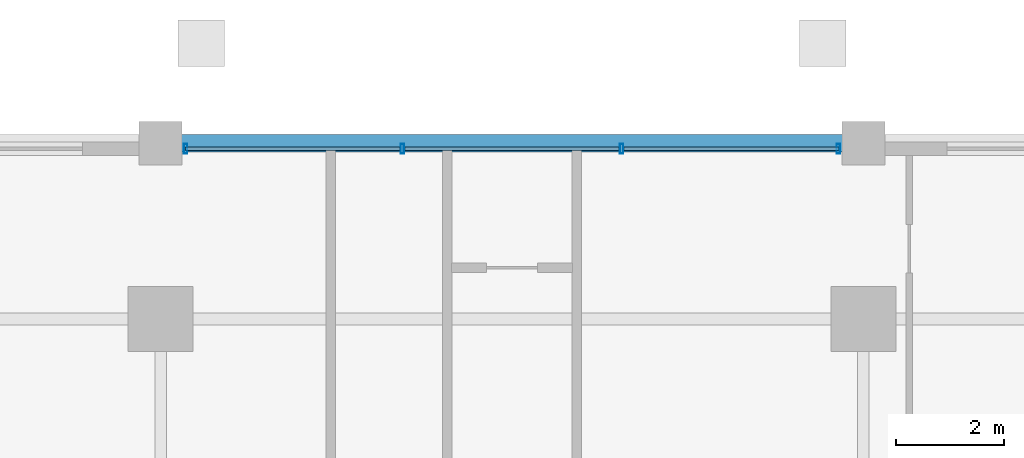
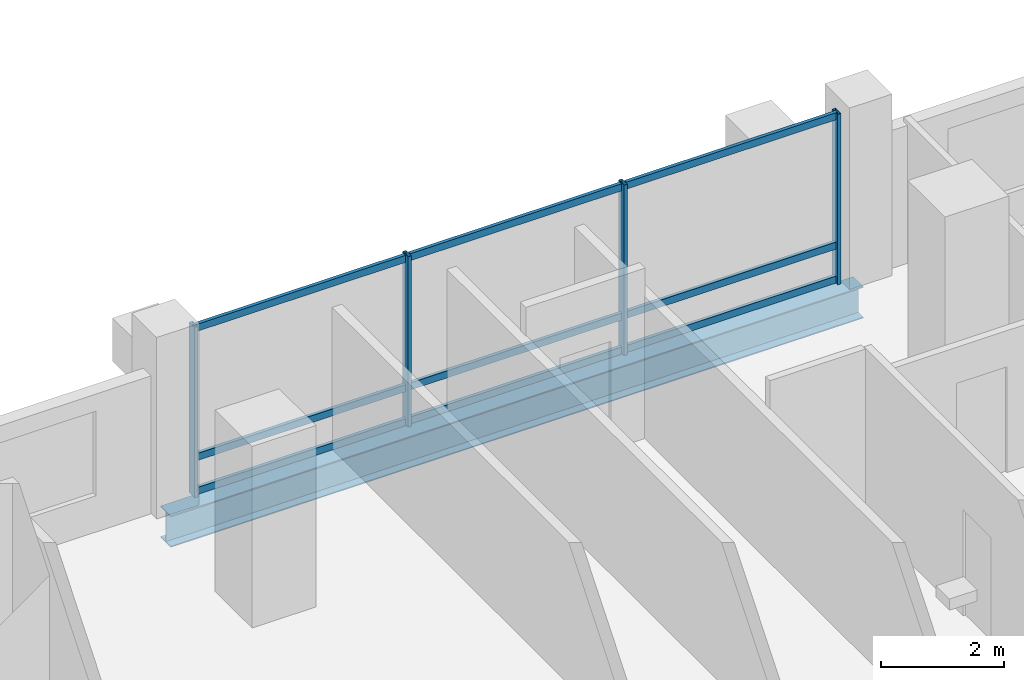
# One storey, part 10 of 19: 13 members, 1 beam, 1 element without a shape of its own.
"""IFC4 building model written with IfcOpenShell, lengths in metres."""

from ifc_helpers import new_model, si_unit, direction, frame, origin, origin_2d, place, context, subcontext, project, spatial, hollow_rectangle, i_section, extrude, material, layer, layer_set, material_profile, profile_set, type_object, element, aggregate, save


model = new_model("IFC4")

# Units and contexts
model_context = context("Model", 3, precision=1e-05, world=origin(), true_north=direction((0.0, 1.0)))
body_context = subcontext(model_context, "Body", "Model", "MODEL_VIEW")
ifc_project = project(units=[si_unit("LENGTHUNIT", "METRE"), si_unit("AREAUNIT", "SQUARE_METRE"), si_unit("VOLUMEUNIT", "CUBIC_METRE"), si_unit("PLANEANGLEUNIT", "RADIAN"), si_unit("MASSUNIT", "GRAM", prefix="KILO")], contexts=[model_context])

# Site, building, storey
site_placement = place(None, origin())
site = spatial("IfcSite", under=ifc_project, at=site_placement, CompositionType="ELEMENT")
building_placement = place(site_placement, origin())
building = spatial("IfcBuilding", under=site, at=building_placement, Name="Barlavira Tower and Art Museum", CompositionType="ELEMENT")
storey_placement = place(building_placement, frame((0.0, 0.0, 158.39990234375)))
storey = spatial("IfcBuildingStorey", under=building, at=storey_placement, Name="L40", CompositionType="ELEMENT", Elevation=158.39990234375)

# Curtain wall, members
ifc_material_1 = material(Name="Low-iron coastal laminated glass", Category="glass")
ifc_layer = layer(ifc_material_1, 0.18994140625, Name="Low-iron coastal laminated glass")
ifc_layer_set = layer_set([ifc_layer], Name="Low-iron coastal laminated glass")
curtain_wall_type = type_object("IfcCurtainWallType", Name="Pale-Metal Unitised Curtain Wall Zone 2", PredefinedType="NOTDEFINED", material=ifc_layer_set)
curtain_wall_placement = place(storey_placement, origin())
curtain_wall = element("IfcCurtainWall", 1, at=curtain_wall_placement, inside=storey, type_object=curtain_wall_type, Name="L40 Curtain Wall CW2-L40-N-B3", PredefinedType="NOTDEFINED")
ifc_material_2 = material(Name="Pale anodised aluminium", Category="aluminium")
ifc_material_profile_1 = material_profile(ifc_material_2, hollow_rectangle(XDim=0.06494140625, YDim=0.179931640625, WallThickness=0.00390625, at=origin_2d()), Name="ALU-MULL 65x180x4")
ifc_profile_set_1 = profile_set([ifc_material_profile_1], Name="Pale anodised aluminium")
member_type_1 = type_object("IfcMemberType", Name="Curtain Wall Pale-Metal Mullion 65x180", PredefinedType="MULLION", material=ifc_profile_set_1)
member_1_placement = place(storey_placement, frame((6.034912109375, 23.14990234375, 0.0), z_axis=(0.0, 0.0, 1.0), x_axis=(-1.0, 0.0, 0.0)))
member_1 = element("IfcMember", 2, at=member_1_placement, type_object=member_type_1, Name="CW2-L40-N-B3 Mullion 0", PredefinedType="MULLION", context=body_context, shape_type="SweptSolid", body=[
    extrude(hollow_rectangle(XDim=0.06494140625, YDim=0.179931640625, WallThickness=0.00390625, at=origin_2d()), origin(), (0.0, 0.0, 1.0), 3.380126953125),
])
member_2_placement = place(storey_placement, frame((2.026611328125, 23.14990234375, 0.0), z_axis=(0.0, 0.0, 1.0), x_axis=(-1.0, 0.0, 0.0)))
member_2 = element("IfcMember", 3, at=member_2_placement, type_object=member_type_1, Name="CW2-L40-N-B3 Mullion 1", PredefinedType="MULLION", context=body_context, shape_type="SweptSolid", body=[
    extrude(hollow_rectangle(XDim=0.06494140625, YDim=0.179931640625, WallThickness=0.00390625, at=origin_2d()), origin(), (0.0, 0.0, 1.0), 3.380126953125),
])
member_3_placement = place(storey_placement, frame((-2.026611328125, 23.14990234375, 0.0), z_axis=(0.0, 0.0, 1.0), x_axis=(-1.0, 0.0, 0.0)))
member_3 = element("IfcMember", 4, at=member_3_placement, type_object=member_type_1, Name="CW2-L40-N-B3 Mullion 2", PredefinedType="MULLION", context=body_context, shape_type="SweptSolid", body=[
    extrude(hollow_rectangle(XDim=0.06494140625, YDim=0.179931640625, WallThickness=0.00390625, at=origin_2d()), origin(), (0.0, 0.0, 1.0), 3.380126953125),
])
member_4_placement = place(storey_placement, frame((-6.034912109375, 23.14990234375, 0.0), z_axis=(0.0, 0.0, 1.0), x_axis=(-1.0, 0.0, 0.0)))
member_4 = element("IfcMember", 5, at=member_4_placement, type_object=member_type_1, Name="CW2-L40-N-B3 Mullion 3", PredefinedType="MULLION", context=body_context, shape_type="SweptSolid", body=[
    extrude(hollow_rectangle(XDim=0.06494140625, YDim=0.179931640625, WallThickness=0.00390625, at=origin_2d()), origin(), (0.0, 0.0, 1.0), 3.380126953125),
])
ifc_material_profile_2 = material_profile(ifc_material_2, hollow_rectangle(XDim=0.06494140625, YDim=0.139892578125, WallThickness=0.00390625, at=origin_2d()), Name="ALU-TRAN 65x140x4")
ifc_profile_set_2 = profile_set([ifc_material_profile_2], Name="Pale anodised aluminium")
member_type_2 = type_object("IfcMemberType", Name="Curtain Wall Pale-Metal Transom 65x140", PredefinedType="USERDEFINED", material=ifc_profile_set_2)
member_5_placement = place(storey_placement, frame((6.034912109375, 23.14990234375, 0.070068359375), z_axis=(-1.0, 0.0, 0.0), x_axis=(0.0, -1.0, 0.0)))
member_5 = element("IfcMember", 6, at=member_5_placement, type_object=member_type_2, Name="CW2-L40-N-B3 Transom 0.1", ObjectType="TRANSOM", PredefinedType="USERDEFINED", context=body_context, shape_type="SweptSolid", body=[
    extrude(hollow_rectangle(XDim=0.06494140625, YDim=0.139892578125, WallThickness=0.00390625, at=origin_2d()), origin(), (0.0, 0.0, 1.0), 3.963134765625),
])
member_6_placement = place(storey_placement, frame((6.034912109375, 23.14990234375, 0.744140625), z_axis=(-1.0, 0.0, 0.0), x_axis=(0.0, -1.0, 0.0)))
member_6 = element("IfcMember", 7, at=member_6_placement, type_object=member_type_2, Name="CW2-L40-N-B3 Transom 0.2", ObjectType="TRANSOM", PredefinedType="USERDEFINED", context=body_context, shape_type="SweptSolid", body=[
    extrude(hollow_rectangle(XDim=0.06494140625, YDim=0.139892578125, WallThickness=0.00390625, at=origin_2d()), origin(), (0.0, 0.0, 1.0), 3.963134765625),
])
member_7_placement = place(storey_placement, frame((6.034912109375, 23.14990234375, 3.31005859375), z_axis=(-1.0, 0.0, 0.0), x_axis=(0.0, -1.0, 0.0)))
member_7 = element("IfcMember", 8, at=member_7_placement, type_object=member_type_2, Name="CW2-L40-N-B3 Transom 0.3", ObjectType="TRANSOM", PredefinedType="USERDEFINED", context=body_context, shape_type="SweptSolid", body=[
    extrude(hollow_rectangle(XDim=0.06494140625, YDim=0.139892578125, WallThickness=0.00390625, at=origin_2d()), origin(), (0.0, 0.0, 1.0), 3.963134765625),
])
member_8_placement = place(storey_placement, frame((1.981689453125, 23.14990234375, 0.070068359375), z_axis=(-1.0, 0.0, 0.0), x_axis=(0.0, -1.0, 0.0)))
member_8 = element("IfcMember", 9, at=member_8_placement, type_object=member_type_2, Name="CW2-L40-N-B3 Transom 1.1", ObjectType="TRANSOM", PredefinedType="USERDEFINED", context=body_context, shape_type="SweptSolid", body=[
    extrude(hollow_rectangle(XDim=0.06494140625, YDim=0.139892578125, WallThickness=0.00390625, at=origin_2d()), origin(), (0.0, 0.0, 1.0), 3.96337890625),
])
member_9_placement = place(storey_placement, frame((1.981689453125, 23.14990234375, 0.744140625), z_axis=(-1.0, 0.0, 0.0), x_axis=(0.0, -1.0, 0.0)))
member_9 = element("IfcMember", 10, at=member_9_placement, type_object=member_type_2, Name="CW2-L40-N-B3 Transom 1.2", ObjectType="TRANSOM", PredefinedType="USERDEFINED", context=body_context, shape_type="SweptSolid", body=[
    extrude(hollow_rectangle(XDim=0.06494140625, YDim=0.139892578125, WallThickness=0.00390625, at=origin_2d()), origin(), (0.0, 0.0, 1.0), 3.96337890625),
])
member_10_placement = place(storey_placement, frame((1.981689453125, 23.14990234375, 3.31005859375), z_axis=(-1.0, 0.0, 0.0), x_axis=(0.0, -1.0, 0.0)))
member_10 = element("IfcMember", 11, at=member_10_placement, type_object=member_type_2, Name="CW2-L40-N-B3 Transom 1.3", ObjectType="TRANSOM", PredefinedType="USERDEFINED", context=body_context, shape_type="SweptSolid", body=[
    extrude(hollow_rectangle(XDim=0.06494140625, YDim=0.139892578125, WallThickness=0.00390625, at=origin_2d()), origin(), (0.0, 0.0, 1.0), 3.96337890625),
])
member_11_placement = place(storey_placement, frame((-2.07177734375, 23.14990234375, 0.070068359375), z_axis=(-1.0, 0.0, 0.0), x_axis=(0.0, -1.0, 0.0)))
member_11 = element("IfcMember", 12, at=member_11_placement, type_object=member_type_2, Name="CW2-L40-N-B3 Transom 2.1", ObjectType="TRANSOM", PredefinedType="USERDEFINED", context=body_context, shape_type="SweptSolid", body=[
    extrude(hollow_rectangle(XDim=0.06494140625, YDim=0.139892578125, WallThickness=0.00390625, at=origin_2d()), origin(), (0.0, 0.0, 1.0), 3.963134765625),
])
member_12_placement = place(storey_placement, frame((-2.07177734375, 23.14990234375, 0.744140625), z_axis=(-1.0, 0.0, 0.0), x_axis=(0.0, -1.0, 0.0)))
member_12 = element("IfcMember", 13, at=member_12_placement, type_object=member_type_2, Name="CW2-L40-N-B3 Transom 2.2", ObjectType="TRANSOM", PredefinedType="USERDEFINED", context=body_context, shape_type="SweptSolid", body=[
    extrude(hollow_rectangle(XDim=0.06494140625, YDim=0.139892578125, WallThickness=0.00390625, at=origin_2d()), origin(), (0.0, 0.0, 1.0), 3.963134765625),
])
member_13_placement = place(storey_placement, frame((-2.07177734375, 23.14990234375, 3.31005859375), z_axis=(-1.0, 0.0, 0.0), x_axis=(0.0, -1.0, 0.0)))
member_13 = element("IfcMember", 14, at=member_13_placement, type_object=member_type_2, Name="CW2-L40-N-B3 Transom 2.3", ObjectType="TRANSOM", PredefinedType="USERDEFINED", context=body_context, shape_type="SweptSolid", body=[
    extrude(hollow_rectangle(XDim=0.06494140625, YDim=0.139892578125, WallThickness=0.00390625, at=origin_2d()), origin(), (0.0, 0.0, 1.0), 3.963134765625),
])
aggregate(curtain_wall, [member_1, member_2, member_3, member_4, member_5, member_6, member_7, member_8, member_9, member_10, member_11, member_12, member_13])

# Beam
ifc_material_3 = material(Name="Steel S355", Category="steel")
ifc_material_profile_3 = material_profile(ifc_material_3, i_section(OverallWidth=0.327880859375, OverallDepth=0.62890625, WebThickness=0.013916015625, FlangeThickness=0.021484375, at=origin_2d()), Name="W610x174.0")
ifc_profile_set_3 = profile_set([ifc_material_profile_3], Name="Steel S355")
beam_type = type_object("IfcBeamType", Name="Perimeter Spandrel Edge Beam W610x174 Steel S355", PredefinedType="SPANDREL", material=ifc_profile_set_3)
beam_placement = place(storey_placement, frame((-6.5, 23.25, -0.534423828125), z_axis=(1.0, 0.0, 0.0), x_axis=(0.0, 1.0, 0.0)))
element("IfcBeam", 15, at=beam_placement, inside=storey, type_object=beam_type, Name="L40 Spandrel 10", PredefinedType="SPANDREL", context=body_context, shape_type="SweptSolid", body=[
    extrude(i_section(OverallWidth=0.327880859375, OverallDepth=0.62890625, WebThickness=0.013916015625, FlangeThickness=0.021484375, at=origin_2d()), origin(), (0.0, 0.0, 1.0), 13.0),
])

save(model, "model.ifc")
